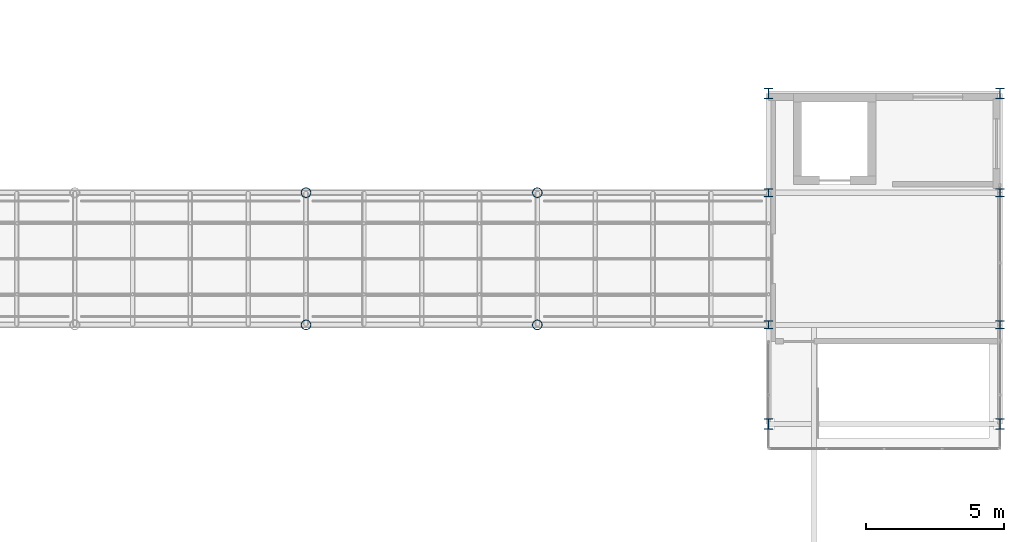
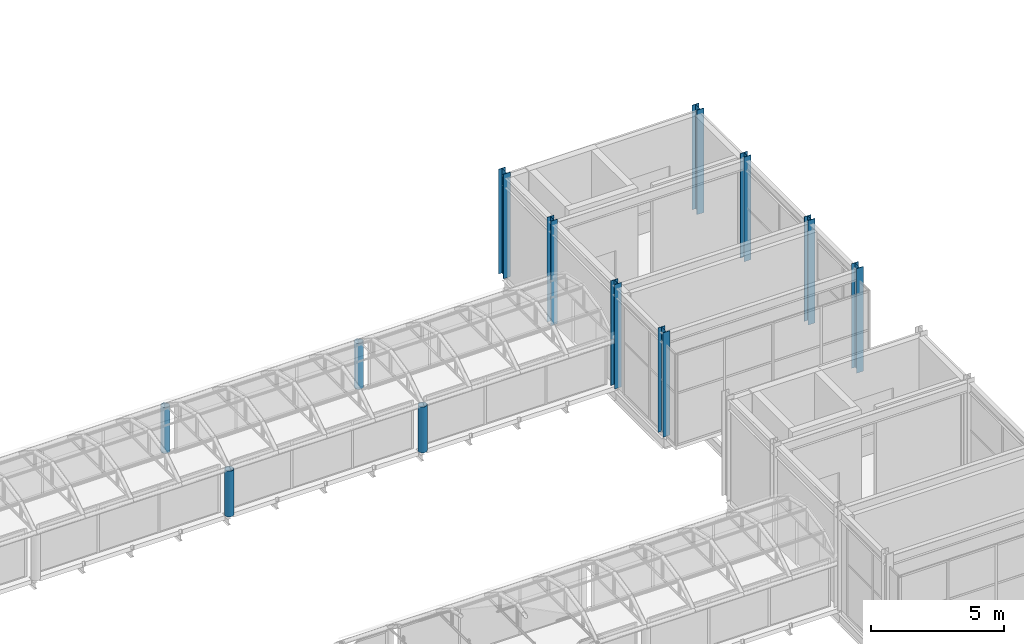
# One storey, part 9 of 167: 12 columns.
"""IFC4 building model written with IfcOpenShell, lengths in metres."""

from ifc_helpers import new_model, si_unit, direction, frame, origin, origin_2d, place, context, subcontext, project, spatial, hollow_circle, i_section, extrude, material, material_profile, profile_set, type_object, element, save


model = new_model("IFC4")

# Units and contexts
model_context = context("Model", 3, precision=1e-05, world=origin(), true_north=direction((0.0, 1.0)))
body_context = subcontext(model_context, "Body", "Model", "MODEL_VIEW")
ifc_project = project(units=[si_unit("LENGTHUNIT", "METRE"), si_unit("AREAUNIT", "SQUARE_METRE"), si_unit("VOLUMEUNIT", "CUBIC_METRE"), si_unit("PLANEANGLEUNIT", "RADIAN"), si_unit("MASSUNIT", "GRAM", prefix="KILO")], contexts=[model_context])

# Site, building, storey
site_placement = place(None, origin())
site = spatial("IfcSite", under=ifc_project, at=site_placement, CompositionType="ELEMENT")
building_placement = place(site_placement, origin())
building = spatial("IfcBuilding", under=site, at=building_placement, Name="Catenary Quay Ferry Terminal", CompositionType="ELEMENT")
storey_placement = place(building_placement, frame((0.0, 0.0, 6.0)))
storey = spatial("IfcBuildingStorey", under=building, at=storey_placement, Name="L01", CompositionType="ELEMENT", Elevation=6.0)

# Columns
ifc_material_1 = material(Name="Steel S355", Category="steel")
ifc_material_profile_1 = material_profile(ifc_material_1, hollow_circle(Radius=0.177734375, WallThickness=0.012451171875, at=origin_2d()), Name="CHS 355.6x12.5")
ifc_profile_set_1 = profile_set([ifc_material_profile_1], Name="Steel S355")
column_type_1 = type_object("IfcColumnType", Name="C5 CHS 355.6x12.5", PredefinedType="COLUMN", material=ifc_profile_set_1)
for number, where, z_axis, x_axis, name in (
    (1, (109.199951171875, 90.0, 0.0), (0.0, 0.0, 1.0), (1.0, 0.0, 0.0), "Column C-BB2SN L01"),
    (2, (117.60009765625, 90.0, 0.0), (0.0, 0.0, 1.0), (1.0, 0.0, 0.0), "Column C-BB2SO L01"),
    (3, (109.199951171875, 94.800048828125, 0.0), (0.0, 0.0, 1.0), (1.0, 0.0, 0.0), "Column C-BB2NN L01"),
    (4, (117.60009765625, 94.800048828125, 0.0), (0.0, 0.0, 1.0), (1.0, 0.0, 0.0), "Column C-BB2NO L01"),
):
    element("IfcColumn", number, at=place(storey_placement, frame(where, z_axis=z_axis, x_axis=x_axis)), inside=storey, type_object=column_type_1, Name=name, PredefinedType="COLUMN", context=body_context, shape_type="SweptSolid", body=[
        extrude(hollow_circle(Radius=0.177734375, WallThickness=0.012451171875, at=origin_2d()), origin(), (0.0, 0.0, 1.0), 2.10009765625),
    ])
ifc_material_2 = material(Name="Steel S355", Category="steel")
ifc_material_profile_2 = material_profile(ifc_material_2, i_section(OverallWidth=0.300048828125, OverallDepth=0.389892578125, WebThickness=0.010986328125, FlangeThickness=0.01904296875, at=origin_2d()), Name="HEA 400")
ifc_profile_set_2 = profile_set([ifc_material_profile_2], Name="Steel S355")
column_type_2 = type_object("IfcColumnType", Name="C7 HEA 400", PredefinedType="COLUMN", material=ifc_profile_set_2)
for number, where, z_axis, x_axis, name in (
    (5, (126.0, 86.39990234375, 0.0), (0.0, 0.0, 1.0), (1.0, 0.0, 0.0), "Column C-BH2P1 L01"),
    (6, (126.0, 98.39990234375, 0.0), (0.0, 0.0, 1.0), (1.0, 0.0, 0.0), "Column C-BH2P4 L01"),
    (7, (134.39990234375, 86.39990234375, 0.0), (0.0, 0.0, 1.0), (1.0, 0.0, 0.0), "Column C-BH2Q1 L01"),
    (8, (134.39990234375, 98.39990234375, 0.0), (0.0, 0.0, 1.0), (1.0, 0.0, 0.0), "Column C-BH2Q4 L01"),
):
    element("IfcColumn", number, at=place(storey_placement, frame(where, z_axis=z_axis, x_axis=x_axis)), inside=storey, type_object=column_type_2, Name=name, PredefinedType="COLUMN", context=body_context, shape_type="SweptSolid", body=[
        extrude(i_section(OverallWidth=0.300048828125, OverallDepth=0.389892578125, WebThickness=0.010986328125, FlangeThickness=0.01904296875, at=origin_2d()), origin(), (0.0, 0.0, 1.0), 4.800048828125),
    ])
ifc_material_3 = material(Name="Steel S355", Category="steel")
ifc_material_profile_3 = material_profile(ifc_material_3, i_section(OverallWidth=0.300048828125, OverallDepth=0.300048828125, WebThickness=0.010986328125, FlangeThickness=0.01904296875, at=origin_2d()), Name="HEB 300")
ifc_profile_set_3 = profile_set([ifc_material_profile_3], Name="Steel S355")
column_type_3 = type_object("IfcColumnType", Name="C8 HEB 300", PredefinedType="COLUMN", material=ifc_profile_set_3)
for number, where, z_axis, x_axis, name in (
    (9, (126.0, 90.0, 0.0), (0.0, 0.0, 1.0), (1.0, 0.0, 0.0), "Column C-BH2P2 L01"),
    (10, (126.0, 94.800048828125, 0.0), (0.0, 0.0, 1.0), (1.0, 0.0, 0.0), "Column C-BH2P3 L01"),
    (11, (134.39990234375, 90.0, 0.0), (0.0, 0.0, 1.0), (1.0, 0.0, 0.0), "Column C-BH2Q2 L01"),
    (12, (134.39990234375, 94.800048828125, 0.0), (0.0, 0.0, 1.0), (1.0, 0.0, 0.0), "Column C-BH2Q3 L01"),
):
    element("IfcColumn", number, at=place(storey_placement, frame(where, z_axis=z_axis, x_axis=x_axis)), inside=storey, type_object=column_type_3, Name=name, PredefinedType="COLUMN", context=body_context, shape_type="SweptSolid", body=[
        extrude(i_section(OverallWidth=0.300048828125, OverallDepth=0.300048828125, WebThickness=0.010986328125, FlangeThickness=0.01904296875, at=origin_2d()), origin(), (0.0, 0.0, 1.0), 4.800048828125),
    ])

save(model, "model.ifc")
